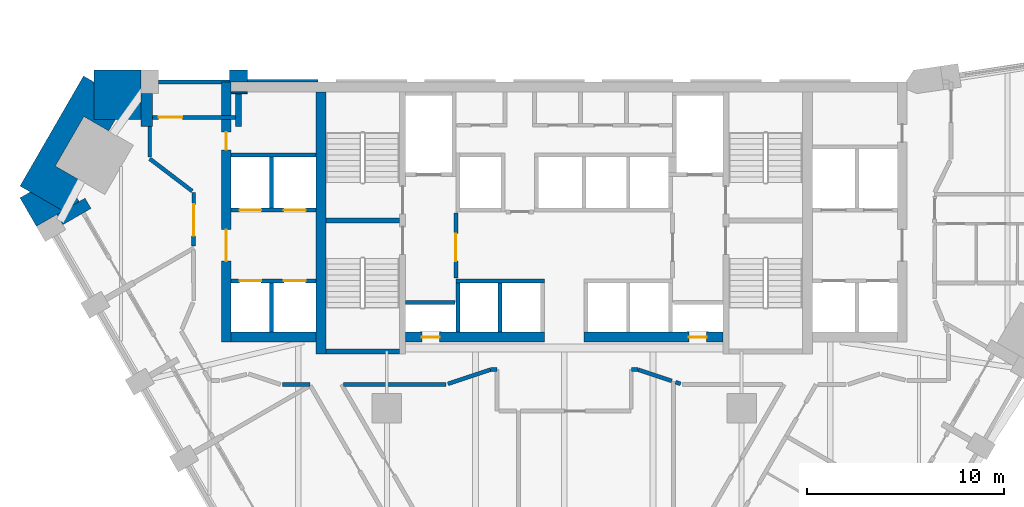
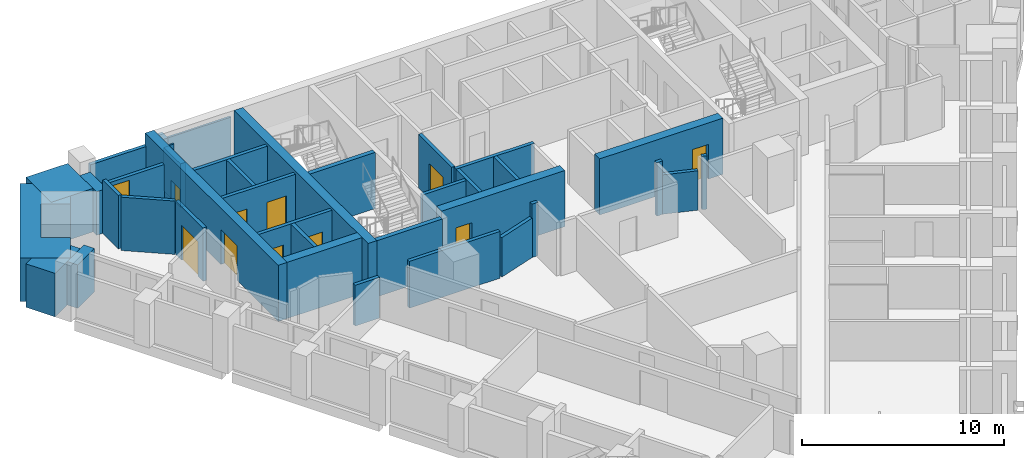
# One storey, part 6 of 11: 38 walls, 11 doors, 11 openings.
"""IFC4 building model written with IfcOpenShell, lengths in metres."""

import ifcopenshell
import ifcopenshell.guid

model = None  # the IFC model being written
_history = None  # IfcOwnerHistory: only IFC2X3 demands one
_inside = {}  # id of a spatial element -> (the spatial element, [elements in it])
_under = {}  # id of a project, library or spatial element -> (it, [spatial elements below it])
_declared = {}  # id of a project -> (the project, [libraries it declares])
_typed = {}  # id of a type object -> (the type object, [elements of that type])
_made_of = {}  # id of a material, layer set ... -> (it, [elements and type objects made of it])


def new_model(schema):
    """Start an empty IFC model of exactly this schema.

    Asked for "IFC4X3", IfcOpenShell would pick the latest addendum, in which some entities
    have other attributes; the version numbers below select the first issue.
    IFC2X3 requires an IfcOwnerHistory on every rooted entity: one is made here for all.
    """
    global model, _history
    if schema == "IFC4X3":
        model = ifcopenshell.file(schema_version=(4, 3, 0, 0))
    else:
        model = ifcopenshell.file(schema=schema)
    _inside.clear()
    _under.clear()
    _declared.clear()
    _typed.clear()
    _made_of.clear()
    _history = None
    if model.schema == "IFC2X3":
        org = make("IfcOrganization", Name="unknown")
        user = make(
            "IfcPersonAndOrganization",
            ThePerson=make("IfcPerson", FamilyName="unknown"),
            TheOrganization=org,
        )
        app = make(
            "IfcApplication",
            ApplicationDeveloper=org,
            Version="unknown",
            ApplicationFullName="unknown",
            ApplicationIdentifier="unknown",
        )
        _history = make(
            "IfcOwnerHistory",
            OwningUser=user,
            OwningApplication=app,
            ChangeAction="ADDED",
            CreationDate=0,
        )
    return model


def make(cls, **values):
    """One entity of the class cls with the attributes given. An attribute that is None is left unset."""
    return model.create_entity(
        cls, **{name: value for name, value in values.items() if value is not None}
    )


def rooted(cls, **values):
    """An entity with a GlobalId (a new one), such as an element, a storey or a relation."""
    return make(cls, GlobalId=ifcopenshell.guid.new(), OwnerHistory=_history, **values)


def si_unit(unit_type, name, prefix=None):
    """IfcSIUnit, for example si_unit("LENGTHUNIT", "METRE", prefix="MILLI")."""
    return make("IfcSIUnit", UnitType=unit_type, Prefix=prefix, Name=name)


def assignment(units):
    """IfcUnitAssignment: the units of a project."""
    return None if units is None else make("IfcUnitAssignment", Units=units)


def point(xyz):
    """IfcCartesianPoint."""
    return None if xyz is None else make("IfcCartesianPoint", Coordinates=xyz)


def direction(xyz):
    """IfcDirection."""
    return None if xyz is None else make("IfcDirection", DirectionRatios=xyz)


def frame(location, z_axis=None, x_axis=None):
    """IfcAxis2Placement3D, a coordinate frame: its origin and axes. An axis left out is left unset."""
    return make(
        "IfcAxis2Placement3D",
        Location=point(location),
        Axis=direction(z_axis),
        RefDirection=direction(x_axis),
    )


def frame_2d(location, x_axis=None):
    """IfcAxis2Placement2D, a coordinate frame in the plane: its origin and x axis."""
    return make(
        "IfcAxis2Placement2D", Location=point(location), RefDirection=direction(x_axis)
    )


def origin():
    """The frame at (0, 0, 0) with its axes left unset."""
    return frame((0.0, 0.0, 0.0))


def place(relative_to, where):
    """IfcLocalPlacement: puts the frame where relative to a parent placement (None: the world)."""
    return make(
        "IfcLocalPlacement", PlacementRelTo=relative_to, RelativePlacement=where
    )


def context(
    kind, dimensions, precision=None, world=None, true_north=None, identifier=None
):
    """IfcGeometricRepresentationContext, for example the 3D "Model" context."""
    return make(
        "IfcGeometricRepresentationContext",
        ContextIdentifier=identifier,
        ContextType=kind,
        CoordinateSpaceDimension=dimensions,
        Precision=precision,
        WorldCoordinateSystem=world,
        TrueNorth=true_north,
    )


def subcontext(parent, identifier, kind, view, scale=None):
    """IfcGeometricRepresentationSubContext, for example "Body" below "Model"."""
    return make(
        "IfcGeometricRepresentationSubContext",
        ContextIdentifier=identifier,
        ContextType=kind,
        ParentContext=parent,
        TargetScale=scale,
        TargetView=view,
    )


def project(units=None, contexts=None):
    """IfcProject with its units and contexts."""
    return rooted(
        "IfcProject",
        Name="project",
        RepresentationContexts=contexts,
        UnitsInContext=assignment(units),
    )


def spatial(cls, under=None, at=None, **own):
    """A site, building, storey or space (cls), placed at a placement, below another one or the project."""
    s = rooted(cls, ObjectPlacement=at, **own)
    if under is not None:
        _under.setdefault(under.id(), (under, []))[1].append(s)
    return s


def polyline(points):
    """IfcPolyline through the points."""
    return make("IfcPolyline", Points=[point(p) for p in points])


def profile(cls, at=None, kind="AREA", **sizes):
    """A parametric profile (cls). Its sizes go by their IFC names, for example OverallWidth=200.0."""
    return make(cls, ProfileType=kind, Position=at, **sizes)


def rectangle(**sizes):
    """IfcRectangleProfileDef."""
    return profile("IfcRectangleProfileDef", **sizes)


def outline(outer, holes=None, kind="AREA"):
    """IfcArbitraryClosedProfileDef: a profile drawn as a closed curve; with holes, ...WithVoids."""
    if holes is None:
        return make("IfcArbitraryClosedProfileDef", ProfileType=kind, OuterCurve=outer)
    return make(
        "IfcArbitraryProfileDefWithVoids",
        ProfileType=kind,
        OuterCurve=outer,
        InnerCurves=holes,
    )


def extrude(swept, where, along, depth):
    """IfcExtrudedAreaSolid: the profile swept, set in the frame where, extruded along a direction by depth."""
    return make(
        "IfcExtrudedAreaSolid",
        SweptArea=swept,
        Position=where,
        ExtrudedDirection=direction(along),
        Depth=depth,
    )


def shape(context_of_items, identifier, shape_type, items):
    """IfcShapeRepresentation: the items that make up one representation, for example the "Body"."""
    return make(
        "IfcShapeRepresentation",
        ContextOfItems=context_of_items,
        RepresentationIdentifier=identifier,
        RepresentationType=shape_type,
        Items=items,
    )


def material(Name=None, Category=None):
    """IfcMaterial."""
    return make("IfcMaterial", Name=Name, Category=Category)


def layer(
    of_material, thickness, ventilated=None, Name=None, Category=None, Priority=None
):
    """IfcMaterialLayer: one layer of a wall or slab, of a material (None: an air gap)."""
    return make(
        "IfcMaterialLayer",
        Material=of_material,
        LayerThickness=thickness,
        IsVentilated=ventilated,
        Name=Name,
        Category=Category,
        Priority=Priority,
    )


def layer_set(layers, Name=None):
    """IfcMaterialLayerSet."""
    return make("IfcMaterialLayerSet", MaterialLayers=layers, LayerSetName=Name)


def made_of(thing, what):
    """Note that an element or type object is made of a material, layer set ...; save() writes the relation."""
    if what is not None:
        _made_of.setdefault(what.id(), (what, []))[1].append(thing)
    return thing


def type_object(cls, material=None, **own):
    """A type object (cls), such as IfcWallType, which elements share."""
    return made_of(rooted(cls, **own), material)


def element(
    cls,
    number,
    at=None,
    inside=None,
    cuts=None,
    type_object=None,
    material=None,
    context=None,
    identifier="Body",
    shape_type=None,
    held_by="IfcProductDefinitionShape",
    body=None,
    shapes=None,
    **own,
):
    """One element of the class cls, such as IfcWall. Its Tag is "e" and its number.

    at: its placement. inside: the storey or other place that contains it. cuts: it is an
    opening in that element (IfcRelVoidsElement). A single representation is given by context,
    identifier, shape_type and body (its items); several are given by shapes. held_by: the class
    of the entity that holds the representations. save() writes the other relations.
    """
    e = rooted(cls, Tag="e%d" % number, ObjectPlacement=at, **own)
    if body is not None:
        shapes = [shape(context, identifier, shape_type, body)]
    if shapes is not None:
        e.Representation = make(held_by, Representations=shapes)
    if inside is not None:
        _inside.setdefault(inside.id(), (inside, []))[1].append(e)
    if cuts is not None:
        rooted(
            "IfcRelVoidsElement", RelatingBuildingElement=cuts, RelatedOpeningElement=e
        )
    if type_object is not None:
        _typed.setdefault(type_object.id(), (type_object, []))[1].append(e)
    return made_of(e, material)


def fill(opening, filler):
    """IfcRelFillsElement: the door or window that sits in an opening."""
    return rooted(
        "IfcRelFillsElement",
        RelatingOpeningElement=opening,
        RelatedBuildingElement=filler,
    )


def aggregate(whole, parts):
    """IfcRelAggregates: a whole, such as a stair, and the parts it consists of."""
    return rooted("IfcRelAggregates", RelatingObject=whole, RelatedObjects=parts)


def save(model, path):
    """Write the relations noted so far, then the file.

    IfcRelAggregates (storeys below a building ...), IfcRelContainedInSpatialStructure (elements
    in a storey), IfcRelDefinesByType, IfcRelAssociatesMaterial and IfcRelDeclares: one each for
    every whole, place, type object, material and project.
    """
    for whole, parts in _under.values():
        aggregate(whole, parts)
    for where, things in _inside.values():
        rooted(
            "IfcRelContainedInSpatialStructure",
            RelatedElements=things,
            RelatingStructure=where,
        )
    for kind, things in _typed.values():
        rooted("IfcRelDefinesByType", RelatedObjects=things, RelatingType=kind)
    for what, things in _made_of.values():
        rooted("IfcRelAssociatesMaterial", RelatedObjects=things, RelatingMaterial=what)
    for by, libraries in _declared.values():
        rooted("IfcRelDeclares", RelatingContext=by, RelatedDefinitions=libraries)
    model.write(path)


model = new_model("IFC4")

# Units and contexts
model_context = context("Model", 3, precision=1e-05, world=origin(), true_north=direction((0.0, 1.0)))
body_context = subcontext(model_context, "Body", "Model", "MODEL_VIEW")
ifc_project = project(units=[si_unit("LENGTHUNIT", "METRE"), si_unit("AREAUNIT", "SQUARE_METRE"), si_unit("VOLUMEUNIT", "CUBIC_METRE"), si_unit("PLANEANGLEUNIT", "RADIAN"), si_unit("MASSUNIT", "GRAM", prefix="KILO")], contexts=[model_context])

# Site, building, storey
site_placement = place(None, origin())
site = spatial("IfcSite", under=ifc_project, at=site_placement, CompositionType="ELEMENT")
building_placement = place(site_placement, origin())
building = spatial("IfcBuilding", under=site, at=building_placement, Name="Calabash Gate Tower", CompositionType="ELEMENT")
storey_placement = place(building_placement, frame((0.0, 0.0, 112.199951171875)))
storey = spatial("IfcBuildingStorey", under=building, at=storey_placement, Name="L25", CompositionType="ELEMENT", Elevation=112.199951171875)

# Walls
ifc_material_1 = material(Name="Terracotta brick masonry, exposed face", Category="masonry")
ifc_layer_1 = layer(ifc_material_1, 2.5)
ifc_layer_set_1 = layer_set([ifc_layer_1], Name="Brick corner mass wall 2500")
wall_type_1 = type_object("IfcWallType", Name="Brick corner mass wall 2500", PredefinedType="SOLIDWALL", material=ifc_layer_set_1)
wall_1_placement = place(storey_placement, origin())
element("IfcWall", 1, at=wall_1_placement, inside=storey, type_object=wall_type_1, Name="Brick corner pier S07 3a", PredefinedType="SOLIDWALL", context=body_context, shape_type="SweptSolid", body=[
    extrude(outline(polyline([(-23.87255859375, 17.152587890625), (-21.48291015625, 17.152587890625), (-21.48291015625, 18.452880859375), (-21.48291015625, 18.452880859375), (-21.48291015625, 19.652587890625), (-23.87255859375, 19.652587890625), (-23.87255859375, 17.152587890625)])), origin(), (0.0, 0.0, 1.0), 2.630126953125),
])
wall_2_placement = place(storey_placement, origin())
element("IfcWall", 2, at=wall_2_placement, inside=storey, type_object=wall_type_1, Name="Brick corner pier S07 3b", PredefinedType="SOLIDWALL", context=body_context, shape_type="SweptSolid", body=[
    extrude(outline(polyline([(-23.114013671875, 16.56640625), (-22.775634765625, 17.152587890625), (-23.87255859375, 17.152587890625), (-23.87255859375, 19.052490234375), (-24.392333984375, 19.3525390625), (-27.616455078125, 13.76806640625), (-25.451416015625, 12.51806640625), (-24.56396484375, 14.054931640625), (-25.82373046875, 14.7822265625), (-24.373779296875, 17.293701171875), (-23.114013671875, 16.56640625)])), origin(), (0.0, 0.0, 1.0), 2.630126953125),
])
wall_3_placement = place(storey_placement, origin())
element("IfcWall", 3, at=wall_3_placement, inside=storey, type_object=wall_type_1, Name="Brick corner pier S07 3c", PredefinedType="SOLIDWALL", context=body_context, shape_type="SweptSolid", body=[
    extrude(outline(polyline([(-26.78369140625, 11.725830078125), (-24.61865234375, 12.975830078125), (-24.90283203125, 13.46826171875), (-25.451416015625, 12.51806640625), (-27.0966796875, 13.46826171875), (-27.616455078125, 13.168212890625), (-26.78369140625, 11.725830078125)])), origin(), (0.0, 0.0, 1.0), 2.630126953125),
])
ifc_material_2 = material(Name="Terracotta brick masonry, exposed face", Category="masonry")
ifc_layer_2 = layer(ifc_material_2, 1.199951171875)
ifc_layer_set_2 = layer_set([ifc_layer_2], Name="Brick end wall 1200")
wall_type_2 = type_object("IfcWallType", Name="Brick end wall 1200", PredefinedType="SOLIDWALL", material=ifc_layer_set_2)
wall_4_placement = place(storey_placement, origin())
element("IfcWall", 4, at=wall_4_placement, inside=storey, type_object=wall_type_2, Name="Brick pier S07 N6.7a", PredefinedType="SOLIDWALL", context=body_context, shape_type="SweptSolid", body=[
    extrude(outline(polyline([(-16.0830078125, 19.052490234375), (-16.0830078125, 19.652587890625), (-16.98291015625, 19.652587890625), (-16.98291015625, 19.052490234375), (-16.0830078125, 19.052490234375)])), origin(), (0.0, 0.0, 1.0), 2.650146484375),
])
wall_5_placement = place(storey_placement, origin())
element("IfcWall", 5, at=wall_5_placement, inside=storey, type_object=wall_type_2, Name="Brick pier S07 N6.7b", PredefinedType="SOLIDWALL", context=body_context, shape_type="SweptSolid", body=[
    extrude(outline(polyline([(-16.0830078125, 18.45263671875), (-16.0830078125, 18.552490234375), (-16.89990234375, 18.552490234375), (-16.89990234375, 18.45263671875), (-16.0830078125, 18.45263671875)])), origin(), (0.0, 0.0, 1.0), 2.650146484375),
])
ifc_material_3 = material(Name="Terracotta brick masonry, exposed face", Category="masonry")
ifc_layer_3 = layer(ifc_material_3, 0.300048828125)
ifc_layer_set_3 = layer_set([ifc_layer_3], Name="Brick loggia cheek wall 300")
wall_type_3 = type_object("IfcWallType", Name="Brick loggia cheek wall 300", PredefinedType="SOLIDWALL", material=ifc_layer_set_3)
wall_6_placement = place(storey_placement, frame((-25.594482421875, 12.06591796875, 0.0), z_axis=(0.0, 0.0, 1.0), x_axis=(0.866040211805, 0.499974350878, 0.0)))
element("IfcWall", 6, at=wall_6_placement, inside=storey, type_object=wall_type_3, Name="Loggia cheek S07 SW0.0", PredefinedType="SOLIDWALL", context=body_context, shape_type="SweptSolid", body=[
    extrude(rectangle(XDim=1.64990234375, YDim=0.60009765625, at=frame_2d((0.824951171875, 0.0))), origin(), (0.0, 0.0, 1.0), 2.630126953125),
])
wall_7_placement = place(storey_placement, origin())
element("IfcWall", 7, at=wall_7_placement, inside=storey, type_object=wall_type_3, Name="Loggia cheek S07 N6.7", PredefinedType="SOLIDWALL", context=body_context, shape_type="SweptSolid", body=[
    extrude(outline(polyline([(-16.383056640625, 16.802490234375), (-16.383056640625, 18.45263671875), (-16.682861328125, 18.45263671875), (-16.682861328125, 16.802490234375), (-16.383056640625, 16.802490234375)])), origin(), (0.0, 0.0, 1.0), 2.650146484375),
])
wall_8_placement = place(storey_placement, origin())
element("IfcWall", 8, at=wall_8_placement, inside=storey, type_object=wall_type_3, Name="Loggia cheek S07 N6.8", PredefinedType="SOLIDWALL", context=body_context, shape_type="SweptSolid", body=[
    extrude(outline(polyline([(-21.48291015625, 18.45263671875), (-21.48291015625, 16.802490234375), (-20.883056640625, 16.802490234375), (-20.883056640625, 18.45263671875), (-21.48291015625, 18.45263671875)])), origin(), (0.0, 0.0, 1.0), 2.630126953125),
])
ifc_material_4 = material(Name="Concrete C80/95", Category="concrete")
ifc_layer_4 = layer(ifc_material_4, 0.25)
ifc_layer_set_4 = layer_set([ifc_layer_4], Name="Core wall 250 Concrete C80/95")
wall_type_4 = type_object("IfcWallType", Name="Core wall 250 Concrete C80/95", PredefinedType="SHEAR", material=ifc_layer_set_4)
for number, where, z_axis, x_axis, name in (
    (9, (-12.10009765625, 12.027587890625, 0.0), (0.0, 0.0, 1.0), (1.0, 0.0, 0.0), "Core wall Z2-MIDW L25"),
    (10, (-12.10009765625, 5.377685546875, 0.0), (0.0, 0.0, 1.0), (1.0, 0.0, 0.0), "Core wall Z2-SSW L25"),
):
    element("IfcWall", number, at=place(storey_placement, frame(where, z_axis=z_axis, x_axis=x_axis)), inside=storey, type_object=wall_type_4, Name=name, PredefinedType="SHEAR", context=body_context, shape_type="SweptSolid", body=[
        extrude(rectangle(XDim=3.75, YDim=0.25, at=frame_2d((1.875, 0.0))), origin(), (0.0, 0.0, 1.0), 3.400146484375),
    ])
ifc_material_5 = material(Name="Concrete C80/95", Category="concrete")
ifc_layer_5 = layer(ifc_material_5, 0.5)
ifc_layer_set_5 = layer_set([ifc_layer_5], Name="Core wall 500 Concrete C80/95")
wall_type_5 = type_object("IfcWallType", Name="Core wall 500 Concrete C80/95", PredefinedType="SHEAR", material=ifc_layer_set_5)
wall_9_placement = place(storey_placement, frame((-12.35009765625, 5.252685546875, 0.0), z_axis=(0.0, 0.0, 1.0), x_axis=(0.0, 1.0, 0.0)))
element("IfcWall", 11, at=wall_9_placement, inside=storey, type_object=wall_type_5, Name="Core wall Z2-COLW L25", PredefinedType="SHEAR", context=body_context, shape_type="SweptSolid", body=[
    extrude(rectangle(XDim=13.2998046875, YDim=0.5, at=frame_2d((6.64990234375, 0.0))), origin(), (0.0, 0.0, 1.0), 3.400146484375),
])

# Wall, opening, door
wall_10_placement = place(storey_placement, frame((-8.050048828125, 6.1025390625, 0.0), z_axis=(0.0, 0.0, 1.0), x_axis=(1.0, 0.0, 0.0)))
wall_10 = element("IfcWall", 12, at=wall_10_placement, inside=storey, type_object=wall_type_5, Name="Core wall Z2-SA L25", PredefinedType="SHEAR", context=body_context, shape_type="SweptSolid", body=[
    extrude(rectangle(XDim=7.050048828125, YDim=0.5, at=frame_2d((3.52490234375, 0.0))), origin(), (0.0, 0.0, 1.0), 3.400146484375),
])
opening_1_placement = place(wall_10_placement, frame((0.824951171875, 0.0, 0.0)))
opening_1 = element("IfcOpeningElement", 13, at=opening_1_placement, cuts=wall_10, Name="Opening H7-013", PredefinedType="OPENING", context=body_context, shape_type="SweptSolid", body=[
    extrude(rectangle(XDim=0.89990234375, YDim=2.10009765625, at=frame_2d((0.449951171875, 1.050048828125))), frame((0.0, 0.260009765625, 0.0), z_axis=(0.0, -1.0, 0.0), x_axis=(1.0, 0.0, 0.0)), (0.0, 0.0, 1.0), 0.52001953125),
])
ifc_material_6 = material(Name="Steel fire door set with fire-resisting glazing", Category="steel")
door_type_1 = type_object("IfcDoorType", Name="Fire door D07 900x2100 FD90", OperationType="NOTDEFINED", PredefinedType="DOOR", material=ifc_material_6)
door_1_placement = place(opening_1_placement, origin())
door_1 = element("IfcDoor", 14, at=door_1_placement, inside=storey, type_object=door_type_1, Name="Electrical Riser W door", OperationType="SINGLE_SWING_LEFT", OverallHeight=2.10009765625, OverallWidth=0.89990234375, PredefinedType="DOOR", context=body_context, shape_type="SweptSolid", body=[
    extrude(rectangle(XDim=0.89990234375, YDim=2.10009765625, at=frame_2d((0.449951171875, 1.050048828125))), frame((0.0, 0.02490234375, 0.0), z_axis=(0.0, -1.0, 0.0), x_axis=(1.0, 0.0, 0.0)), (0.0, 0.0, 1.0), 0.050048828125),
])
fill(opening_1, door_1)

wall_11_placement = place(storey_placement, frame((1.0, 6.1025390625, 0.0), z_axis=(0.0, 0.0, 1.0), x_axis=(1.0, 0.0, 0.0)))
wall_11 = element("IfcWall", 15, at=wall_11_placement, inside=storey, type_object=wall_type_5, Name="Core wall Z2-SB L25", PredefinedType="SHEAR", context=body_context, shape_type="SweptSolid", body=[
    extrude(rectangle(XDim=7.050048828125, YDim=0.5, at=frame_2d((3.52490234375, 0.0))), origin(), (0.0, 0.0, 1.0), 3.400146484375),
])
opening_2_placement = place(wall_11_placement, frame((5.324951171875, 0.0, 0.0)))
opening_2 = element("IfcOpeningElement", 16, at=opening_2_placement, cuts=wall_11, Name="Opening H7-012", PredefinedType="OPENING", context=body_context, shape_type="SweptSolid", body=[
    extrude(rectangle(XDim=0.89990234375, YDim=2.10009765625, at=frame_2d((0.449951171875, 1.050048828125))), frame((0.0, 0.260009765625, 0.0), z_axis=(0.0, -1.0, 0.0), x_axis=(1.0, 0.0, 0.0)), (0.0, 0.0, 1.0), 0.52001953125),
])
door_2_placement = place(opening_2_placement, origin())
door_2 = element("IfcDoor", 17, at=door_2_placement, inside=storey, type_object=door_type_1, Name="Mechanical Riser E door", OperationType="SINGLE_SWING_RIGHT", OverallHeight=2.10009765625, OverallWidth=0.89990234375, PredefinedType="DOOR", context=body_context, shape_type="SweptSolid", body=[
    extrude(rectangle(XDim=0.89990234375, YDim=2.10009765625, at=frame_2d((0.449951171875, 1.050048828125))), frame((0.0, 0.02490234375, 0.0), z_axis=(0.0, -1.0, 0.0), x_axis=(1.0, 0.0, 0.0)), (0.0, 0.0, 1.0), 0.050048828125),
])
fill(opening_2, door_2)

# Wall
wall_12_placement = place(storey_placement, frame((-12.60009765625, 6.1025390625, 0.0), z_axis=(0.0, 0.0, 1.0), x_axis=(-1.0, 0.0, 0.0)))
element("IfcWall", 18, at=wall_12_placement, inside=storey, type_object=wall_type_5, Name="Core wall Z2-SW L25", PredefinedType="SHEAR", context=body_context, shape_type="SweptSolid", body=[
    extrude(rectangle(XDim=4.2998046875, YDim=0.5, at=frame_2d((2.14990234375, 0.0))), origin(), (0.0, 0.0, 1.0), 3.400146484375),
])

# Wall, openings, doors
wall_13_placement = place(storey_placement, frame((-17.14990234375, 5.8525390625, 0.0), z_axis=(0.0, 0.0, 1.0), x_axis=(0.0, 1.0, 0.0)))
wall_13 = element("IfcWall", 19, at=wall_13_placement, inside=storey, type_object=wall_type_5, Name="Core wall Z2-ENDW L25", PredefinedType="SHEAR", context=body_context, shape_type="SweptSolid", body=[
    extrude(rectangle(XDim=13.199951171875, YDim=0.5, at=frame_2d((6.60009765625, 0.0))), origin(), (0.0, 0.0, 1.0), 3.400146484375),
])
opening_3_placement = place(wall_13_placement, frame((4.10009765625, 0.0, 0.0)))
opening_3 = element("IfcOpeningElement", 20, at=opening_3_placement, cuts=wall_13, Name="Opening H7-003", PredefinedType="OPENING", context=body_context, shape_type="SweptSolid", body=[
    extrude(rectangle(XDim=1.60009765625, YDim=2.10009765625, at=frame_2d((0.800048828125, 1.050048828125))), frame((0.0, 0.260009765625, 0.0), z_axis=(0.0, -1.0, 0.0), x_axis=(1.0, 0.0, 0.0)), (0.0, 0.0, 1.0), 0.52001953125),
])
opening_4_placement = place(wall_13_placement, frame((9.75, 0.0, 0.0)))
opening_4 = element("IfcOpeningElement", 21, at=opening_4_placement, cuts=wall_13, Name="Opening H7-004", PredefinedType="OPENING", context=body_context, shape_type="SweptSolid", body=[
    extrude(rectangle(XDim=0.89990234375, YDim=2.10009765625, at=frame_2d((0.449951171875, 1.050048828125))), frame((0.0, 0.260009765625, 0.0), z_axis=(0.0, -1.0, 0.0), x_axis=(1.0, 0.0, 0.0)), (0.0, 0.0, 1.0), 0.52001953125),
])
ifc_material_7 = material(Name="Steel fire door set with fire-resisting glazing", Category="steel")
door_type_2 = type_object("IfcDoorType", Name="Double fire door D08 1600x2100 FD60", OperationType="DOUBLE_DOOR_SINGLE_SWING", PredefinedType="DOOR", material=ifc_material_7)
door_3_placement = place(opening_3_placement, origin())
door_3 = element("IfcDoor", 22, at=door_3_placement, inside=storey, type_object=door_type_2, Name="Low-rise Lift Lobby W door", OperationType="DOUBLE_DOOR_SINGLE_SWING", OverallHeight=2.10009765625, OverallWidth=1.60009765625, PredefinedType="DOOR", context=body_context, shape_type="SweptSolid", body=[
    extrude(rectangle(XDim=1.60009765625, YDim=2.10009765625, at=frame_2d((0.800048828125, 1.050048828125))), frame((0.0, 0.02490234375, 0.0), z_axis=(0.0, -1.0, 0.0), x_axis=(1.0, 0.0, 0.0)), (0.0, 0.0, 1.0), 0.050048828125),
])
fill(opening_3, door_3)
ifc_material_8 = material(Name="Steel fire door set with fire-resisting glazing", Category="steel")
door_type_3 = type_object("IfcDoorType", Name="Fire door D06 900x2100 FD60", OperationType="NOTDEFINED", PredefinedType="DOOR", material=ifc_material_8)
door_4_placement = place(opening_4_placement, origin())
door_4 = element("IfcDoor", 23, at=door_4_placement, inside=storey, type_object=door_type_3, Name="Cleaner's Store door", OperationType="SINGLE_SWING_RIGHT", OverallHeight=2.10009765625, OverallWidth=0.89990234375, PredefinedType="DOOR", context=body_context, shape_type="SweptSolid", body=[
    extrude(rectangle(XDim=0.89990234375, YDim=2.10009765625, at=frame_2d((0.449951171875, 1.050048828125))), frame((0.0, 0.02490234375, 0.0), z_axis=(0.0, -1.0, 0.0), x_axis=(1.0, 0.0, 0.0)), (0.0, 0.0, 1.0), 0.050048828125),
])
fill(opening_4, door_4)

# Walls
ifc_material_9 = material(Name="Gypsum board on steel studs, mineral wool", Category="steel")
ifc_layer_6 = layer(ifc_material_9, 0.199951171875)
ifc_layer_set_6 = layer_set([ifc_layer_6], Name="Partition 200 gypsum board EI 60")
wall_type_6 = type_object("IfcWallType", Name="Partition 200 gypsum board EI 60", PredefinedType="PARTITIONING", material=ifc_layer_set_6)
wall_14_placement = place(storey_placement, frame((-14.300048828125, 3.699462890625, 0.0), z_axis=(0.0, 0.0, 1.0), x_axis=(1.0, 0.0, 0.0)))
element("IfcWall", 24, at=wall_14_placement, inside=storey, type_object=wall_type_6, Name="Partition", PredefinedType="PARTITIONING", context=body_context, shape_type="SweptSolid", body=[
    extrude(rectangle(XDim=1.387451171875, YDim=0.199951171875, at=frame_2d((0.69384765625, 0.0))), origin(), (0.0, 0.0, 1.0), 2.4736328125),
])
wall_15_placement = place(storey_placement, frame((-11.1953125, 3.69970703125, 0.0), z_axis=(0.0, 0.0, 1.0), x_axis=(1.0, 0.0, 0.0)))
element("IfcWall", 25, at=wall_15_placement, inside=storey, type_object=wall_type_6, Name="Partition", PredefinedType="PARTITIONING", context=body_context, shape_type="SweptSolid", body=[
    extrude(rectangle(XDim=5.1953125, YDim=0.199951171875, at=frame_2d((2.59765625, 0.0))), origin(), (0.0, 0.0, 1.0), 2.83154296875),
])
wall_16_placement = place(storey_placement, frame((5.64501953125, 3.816650390625, 0.0), z_axis=(0.0, 0.0, 1.0), x_axis=(0.950012851822, -0.312210796374, 0.0)))
element("IfcWall", 26, at=wall_16_placement, inside=storey, type_object=wall_type_6, Name="Partition", PredefinedType="PARTITIONING", context=body_context, shape_type="SweptSolid", body=[
    extrude(rectangle(XDim=0.273681640625, YDim=0.199951171875, at=frame_2d((0.13671875, 0.0))), origin(), (0.0, 0.0, 1.0), 3.22998046875),
])
wall_17_placement = place(storey_placement, frame((3.7421875, 4.452392578125, 0.0), z_axis=(0.0, 0.0, 1.0), x_axis=(0.948371897829, -0.317160437962, 0.0)))
element("IfcWall", 27, at=wall_17_placement, inside=storey, type_object=wall_type_6, Name="Partition", PredefinedType="PARTITIONING", context=body_context, shape_type="SweptSolid", body=[
    extrude(rectangle(XDim=1.805908203125, YDim=0.199951171875, at=frame_2d((0.90283203125, 0.0))), origin(), (0.0, 0.0, 1.0), 2.384033203125),
])
wall_18_placement = place(storey_placement, frame((-5.905029296875, 3.7314453125, 0.0), z_axis=(0.0, 0.0, 1.0), x_axis=(0.948683298051, 0.316227766017, 0.0)))
element("IfcWall", 28, at=wall_18_placement, inside=storey, type_object=wall_type_6, Name="Partition", PredefinedType="PARTITIONING", context=body_context, shape_type="SweptSolid", body=[
    extrude(rectangle(XDim=2.27978515625, YDim=0.199951171875, at=frame_2d((1.139892578125, 0.0))), origin(), (0.0, 0.0, 1.0), 2.384033203125),
])
for number, where, z_axis, x_axis, name in (
    (29, (-3.7421875, 4.452392578125, 0.0), (0.0, 0.0, 1.0), (0.999987374295, -0.005025062182, 0.0), "Partition"),
    (30, (3.402099609375, 4.45068359375, 0.0), (0.0, 0.0, 1.0), (0.999987374295, 0.005025062182, 0.0), "Partition"),
):
    element("IfcWall", number, at=place(storey_placement, frame(where, z_axis=z_axis, x_axis=x_axis)), inside=storey, type_object=wall_type_6, Name=name, PredefinedType="PARTITIONING", context=body_context, shape_type="SweptSolid", body=[
        extrude(rectangle(XDim=0.340087890625, YDim=0.199951171875, at=frame_2d((0.169921875, 0.0))), origin(), (0.0, 0.0, 1.0), 3.22998046875),
    ])

# Wall, opening, door
wall_19_placement = place(storey_placement, frame((-18.802001953125, 10.71826171875, 0.0), z_axis=(0.0, 0.0, 1.0), x_axis=(0.000535762045, 0.99999985648, 0.0)))
wall_19 = element("IfcWall", 31, at=wall_19_placement, inside=storey, type_object=wall_type_6, Name="Partition", PredefinedType="PARTITIONING", context=body_context, shape_type="SweptSolid", body=[
    extrude(rectangle(XDim=2.734130859375, YDim=0.199951171875, at=frame_2d((1.3671875, 0.0))), origin(), (0.0, 0.0, 1.0), 3.22998046875),
])
opening_5_placement = place(wall_19_placement, frame((0.516357421875, 0.0, 0.0)))
opening_5 = element("IfcOpeningElement", 32, at=opening_5_placement, cuts=wall_19, Name="Opening 25-27-022", PredefinedType="OPENING", context=body_context, shape_type="SweptSolid", body=[
    extrude(rectangle(XDim=1.60009765625, YDim=2.10009765625, at=frame_2d((0.800048828125, 1.050048828125))), frame((0.0, 0.10986328125, 0.0), z_axis=(0.0, -1.0, 0.0), x_axis=(1.0, 0.0, 0.0)), (0.0, 0.0, 1.0), 0.219970703125),
])
ifc_material_10 = material(Name="Steel fire door set with fire-resisting glazing", Category="steel")
door_type_4 = type_object("IfcDoorType", Name="LD1 Lounge double door 1600x2100", OperationType="NOTDEFINED", PredefinedType="DOOR", material=ifc_material_10)
door_5_placement = place(opening_5_placement, origin())
door_5 = element("IfcDoor", 33, at=door_5_placement, inside=storey, type_object=door_type_4, Name="Lounge double door", OperationType="DOUBLE_DOOR_SINGLE_SWING", OverallHeight=2.10009765625, OverallWidth=1.60009765625, PredefinedType="DOOR", context=body_context, shape_type="SweptSolid", body=[
    extrude(rectangle(XDim=1.60009765625, YDim=2.10009765625, at=frame_2d((0.800048828125, 1.050048828125))), frame((0.0, 0.02490234375, 0.0), z_axis=(0.0, -1.0, 0.0), x_axis=(1.0, 0.0, 0.0)), (0.0, 0.0, 1.0), 0.050048828125),
])
fill(opening_5, door_5)

# Walls
wall_20_placement = place(storey_placement, frame((-21.033447265625, 15.15234375, 0.0), z_axis=(0.0, 0.0, 1.0), x_axis=(0.79564910386, -0.605757792791, 0.0)))
element("IfcWall", 34, at=wall_20_placement, inside=storey, type_object=wall_type_6, Name="Partition", PredefinedType="PARTITIONING", context=body_context, shape_type="SweptSolid", body=[
    extrude(rectangle(XDim=2.706298828125, YDim=0.199951171875, at=frame_2d((1.35302734375, 0.0))), origin(), (0.0, 0.0, 1.0), 3.22998046875),
])
wall_21_placement = place(storey_placement, frame((-21.033447265625, 16.802490234375, 0.0), z_axis=(0.0, 0.0, 1.0), x_axis=(0.0, -1.0, 0.0)))
element("IfcWall", 35, at=wall_21_placement, inside=storey, type_object=wall_type_6, Name="Partition", PredefinedType="PARTITIONING", context=body_context, shape_type="SweptSolid", body=[
    extrude(rectangle(XDim=1.55029296875, YDim=0.199951171875, at=frame_2d((0.775146484375, 0.0))), origin(), (0.0, 0.0, 1.0), 3.22998046875),
])
ifc_material_11 = material(Name="Concrete C40/50", Category="concrete")
ifc_layer_7 = layer(ifc_material_11, 0.199951171875)
ifc_layer_set_7 = layer_set([ifc_layer_7], Name="Shaft wall 200 Concrete C40/50")
wall_type_7 = type_object("IfcWallType", Name="Shaft wall 200 Concrete C40/50", PredefinedType="SOLIDWALL", material=ifc_layer_set_7)
for number, where, z_axis, x_axis, name in (
    (36, (-14.85009765625, 6.3525390625, 0.0), (0.0, 0.0, 1.0), (0.0, 1.0, 0.0), "Shaft wall"),
    (37, (-5.39990234375, 6.3525390625, 0.0), (0.0, 0.0, 1.0), (0.0, 1.0, 0.0), "Shaft wall"),
    (38, (-3.25, 6.3525390625, 0.0), (0.0, 0.0, 1.0), (0.0, 1.0, 0.0), "Shaft wall"),
    (39, (-8.050048828125, 7.8525390625, 0.0), (0.0, 0.0, 1.0), (1.0, 0.0, 0.0), "Shaft wall"),
):
    element("IfcWall", number, at=place(storey_placement, frame(where, z_axis=z_axis, x_axis=x_axis)), inside=storey, type_object=wall_type_7, Name=name, PredefinedType="SOLIDWALL", context=body_context, shape_type="SweptSolid", body=[
        extrude(rectangle(XDim=2.5, YDim=0.199951171875, at=frame_2d((1.25, 0.0))), origin(), (0.0, 0.0, 1.0), 3.22998046875),
    ])

# Wall, openings, doors
wall_22_placement = place(storey_placement, frame((-16.89990234375, 8.95263671875, 0.0), z_axis=(0.0, 0.0, 1.0), x_axis=(1.0, 0.0, 0.0)))
wall_22 = element("IfcWall", 40, at=wall_22_placement, inside=storey, type_object=wall_type_7, Name="Shaft wall", PredefinedType="SOLIDWALL", context=body_context, shape_type="SweptSolid", body=[
    extrude(rectangle(XDim=4.2998046875, YDim=0.199951171875, at=frame_2d((2.14990234375, 0.0))), origin(), (0.0, 0.0, 1.0), 3.22998046875),
])
opening_6_placement = place(wall_22_placement, frame((2.675048828125, 0.0, 0.0)))
opening_6 = element("IfcOpeningElement", 41, at=opening_6_placement, cuts=wall_22, Name="Opening LD-LR1", PredefinedType="OPENING", context=body_context, shape_type="SweptSolid", body=[
    extrude(rectangle(XDim=1.10009765625, YDim=2.10009765625, at=frame_2d((0.550048828125, 1.050048828125))), frame((0.0, 0.10986328125, 0.0), z_axis=(0.0, -1.0, 0.0), x_axis=(1.0, 0.0, 0.0)), (0.0, 0.0, 1.0), 0.219970703125),
])
opening_7_placement = place(wall_22_placement, frame((0.425048828125, 0.0, 0.0)))
opening_7 = element("IfcOpeningElement", 42, at=opening_7_placement, cuts=wall_22, Name="Opening LD-LR2", PredefinedType="OPENING", context=body_context, shape_type="SweptSolid", body=[
    extrude(rectangle(XDim=1.10009765625, YDim=2.10009765625, at=frame_2d((0.550048828125, 1.050048828125))), frame((0.0, 0.10986328125, 0.0), z_axis=(0.0, -1.0, 0.0), x_axis=(1.0, 0.0, 0.0)), (0.0, 0.0, 1.0), 0.219970703125),
])
ifc_material_12 = material(Name="Stainless steel sliding door leaves", Category="steel")
door_type_5 = type_object("IfcDoorType", Name="Lift landing door LS1 1100x2100 FD90", OperationType="DOUBLE_DOOR_SLIDING", PredefinedType="DOOR", material=ifc_material_12)
door_6_placement = place(opening_6_placement, origin())
door_6 = element("IfcDoor", 43, at=door_6_placement, inside=storey, type_object=door_type_5, Name="Lift landing door LR1", OperationType="DOUBLE_DOOR_SLIDING", OverallHeight=2.10009765625, OverallWidth=1.10009765625, PredefinedType="DOOR", context=body_context, shape_type="SweptSolid", body=[
    extrude(rectangle(XDim=1.10009765625, YDim=2.10009765625, at=frame_2d((0.550048828125, 1.050048828125))), frame((0.0, 0.02490234375, 0.0), z_axis=(0.0, -1.0, 0.0), x_axis=(1.0, 0.0, 0.0)), (0.0, 0.0, 1.0), 0.050048828125),
])
fill(opening_6, door_6)
door_7_placement = place(opening_7_placement, origin())
door_7 = element("IfcDoor", 44, at=door_7_placement, inside=storey, type_object=door_type_5, Name="Lift landing door LR2", OperationType="DOUBLE_DOOR_SLIDING", OverallHeight=2.10009765625, OverallWidth=1.10009765625, PredefinedType="DOOR", context=body_context, shape_type="SweptSolid", body=[
    extrude(rectangle(XDim=1.10009765625, YDim=2.10009765625, at=frame_2d((0.550048828125, 1.050048828125))), frame((0.0, 0.02490234375, 0.0), z_axis=(0.0, -1.0, 0.0), x_axis=(1.0, 0.0, 0.0)), (0.0, 0.0, 1.0), 0.050048828125),
])
fill(opening_7, door_7)

# Wall
wall_23_placement = place(storey_placement, frame((-5.5, 8.95263671875, 0.0), z_axis=(0.0, 0.0, 1.0), x_axis=(1.0, 0.0, 0.0)))
element("IfcWall", 45, at=wall_23_placement, inside=storey, type_object=wall_type_7, Name="Shaft wall", PredefinedType="SOLIDWALL", context=body_context, shape_type="SweptSolid", body=[
    extrude(rectangle(XDim=4.5, YDim=0.199951171875, at=frame_2d((2.25, 0.0))), origin(), (0.0, 0.0, 1.0), 3.22998046875),
])

# Wall, opening, door
wall_24_placement = place(storey_placement, frame((-5.5, 9.1025390625, 0.0), z_axis=(0.0, 0.0, 1.0), x_axis=(0.0, 1.0, 0.0)))
wall_24 = element("IfcWall", 46, at=wall_24_placement, inside=storey, type_object=wall_type_7, Name="Shaft wall", PredefinedType="SOLIDWALL", context=body_context, shape_type="SweptSolid", body=[
    extrude(rectangle(XDim=3.300048828125, YDim=0.199951171875, at=frame_2d((1.64990234375, 0.0))), origin(), (0.0, 0.0, 1.0), 3.22998046875),
])
opening_8_placement = place(wall_24_placement, frame((0.85009765625, 0.0, 0.0)))
opening_8 = element("IfcOpeningElement", 47, at=opening_8_placement, cuts=wall_24, Name="Opening H7-007", PredefinedType="OPENING", context=body_context, shape_type="SweptSolid", body=[
    extrude(rectangle(XDim=1.39990234375, YDim=2.10009765625, at=frame_2d((0.699951171875, 1.050048828125))), frame((0.0, 0.10986328125, 0.0), z_axis=(0.0, -1.0, 0.0), x_axis=(1.0, 0.0, 0.0)), (0.0, 0.0, 1.0), 0.219970703125),
])
ifc_material_13 = material(Name="Steel fire door set with fire-resisting glazing", Category="steel")
door_type_6 = type_object("IfcDoorType", Name="Fire door D05 1400x2100 FD90", OperationType="NOTDEFINED", PredefinedType="DOOR", material=ifc_material_13)
door_8_placement = place(opening_8_placement, origin())
door_8 = element("IfcDoor", 48, at=door_8_placement, inside=storey, type_object=door_type_6, Name="Firefighting Lobby W door", OperationType="SINGLE_SWING_RIGHT", OverallHeight=2.10009765625, OverallWidth=1.39990234375, PredefinedType="DOOR", context=body_context, shape_type="SweptSolid", body=[
    extrude(rectangle(XDim=1.39990234375, YDim=2.10009765625, at=frame_2d((0.699951171875, 1.050048828125))), frame((0.0, 0.02490234375, 0.0), z_axis=(0.0, -1.0, 0.0), x_axis=(1.0, 0.0, 0.0)), (0.0, 0.0, 1.0), 0.050048828125),
])
fill(opening_8, door_8)

# Wall, openings, doors
wall_25_placement = place(storey_placement, frame((-16.89990234375, 12.552490234375, 0.0), z_axis=(0.0, 0.0, 1.0), x_axis=(1.0, 0.0, 0.0)))
wall_25 = element("IfcWall", 49, at=wall_25_placement, inside=storey, type_object=wall_type_7, Name="Shaft wall", PredefinedType="SOLIDWALL", context=body_context, shape_type="SweptSolid", body=[
    extrude(rectangle(XDim=4.2998046875, YDim=0.199951171875, at=frame_2d((2.14990234375, 0.0))), origin(), (0.0, 0.0, 1.0), 3.22998046875),
])
opening_9_placement = place(wall_25_placement, frame((2.675048828125, 0.0, 0.0)))
opening_9 = element("IfcOpeningElement", 50, at=opening_9_placement, cuts=wall_25, Name="Opening LD-LR3", PredefinedType="OPENING", context=body_context, shape_type="SweptSolid", body=[
    extrude(rectangle(XDim=1.10009765625, YDim=2.10009765625, at=frame_2d((0.550048828125, 1.050048828125))), frame((0.0, 0.10986328125, 0.0), z_axis=(0.0, -1.0, 0.0), x_axis=(1.0, 0.0, 0.0)), (0.0, 0.0, 1.0), 0.219970703125),
])
opening_10_placement = place(wall_25_placement, frame((0.425048828125, 0.0, 0.0)))
opening_10 = element("IfcOpeningElement", 51, at=opening_10_placement, cuts=wall_25, Name="Opening LD-LR4", PredefinedType="OPENING", context=body_context, shape_type="SweptSolid", body=[
    extrude(rectangle(XDim=1.10009765625, YDim=2.10009765625, at=frame_2d((0.550048828125, 1.050048828125))), frame((0.0, 0.10986328125, 0.0), z_axis=(0.0, -1.0, 0.0), x_axis=(1.0, 0.0, 0.0)), (0.0, 0.0, 1.0), 0.219970703125),
])
door_9_placement = place(opening_9_placement, origin())
door_9 = element("IfcDoor", 52, at=door_9_placement, inside=storey, type_object=door_type_5, Name="Lift landing door LR3", OperationType="DOUBLE_DOOR_SLIDING", OverallHeight=2.10009765625, OverallWidth=1.10009765625, PredefinedType="DOOR", context=body_context, shape_type="SweptSolid", body=[
    extrude(rectangle(XDim=1.10009765625, YDim=2.10009765625, at=frame_2d((0.550048828125, 1.050048828125))), frame((0.0, 0.02490234375, 0.0), z_axis=(0.0, -1.0, 0.0), x_axis=(1.0, 0.0, 0.0)), (0.0, 0.0, 1.0), 0.050048828125),
])
fill(opening_9, door_9)
door_10_placement = place(opening_10_placement, origin())
door_10 = element("IfcDoor", 53, at=door_10_placement, inside=storey, type_object=door_type_5, Name="Lift landing door LR4", OperationType="DOUBLE_DOOR_SLIDING", OverallHeight=2.10009765625, OverallWidth=1.10009765625, PredefinedType="DOOR", context=body_context, shape_type="SweptSolid", body=[
    extrude(rectangle(XDim=1.10009765625, YDim=2.10009765625, at=frame_2d((0.550048828125, 1.050048828125))), frame((0.0, 0.02490234375, 0.0), z_axis=(0.0, -1.0, 0.0), x_axis=(1.0, 0.0, 0.0)), (0.0, 0.0, 1.0), 0.050048828125),
])
fill(opening_10, door_10)

# Walls
wall_26_placement = place(storey_placement, frame((-14.85009765625, 12.652587890625, 0.0), z_axis=(0.0, 0.0, 1.0), x_axis=(0.0, 1.0, 0.0)))
element("IfcWall", 54, at=wall_26_placement, inside=storey, type_object=wall_type_7, Name="Shaft wall", PredefinedType="SOLIDWALL", context=body_context, shape_type="SweptSolid", body=[
    extrude(rectangle(XDim=2.60009765625, YDim=0.199951171875, at=frame_2d((1.300048828125, 0.0))), origin(), (0.0, 0.0, 1.0), 3.22998046875),
])
wall_27_placement = place(storey_placement, frame((-16.89990234375, 15.3525390625, 0.0), z_axis=(0.0, 0.0, 1.0), x_axis=(1.0, 0.0, 0.0)))
element("IfcWall", 55, at=wall_27_placement, inside=storey, type_object=wall_type_7, Name="Shaft wall", PredefinedType="SOLIDWALL", context=body_context, shape_type="SweptSolid", body=[
    extrude(rectangle(XDim=4.2998046875, YDim=0.199951171875, at=frame_2d((2.14990234375, 0.0))), origin(), (0.0, 0.0, 1.0), 3.22998046875),
])
ifc_material_14 = material(Name="Terracotta brick masonry, perforated", Category="masonry")
ifc_layer_8 = layer(ifc_material_14, 0.1201171875)
ifc_layer_set_8 = layer_set([ifc_layer_8], Name="Terracotta jaali cladding A 120")
wall_type_8 = type_object("IfcWallType", Name="Terracotta jaali cladding A 120", PredefinedType="SOLIDWALL", material=ifc_layer_set_8)
wall_28_placement = place(storey_placement, origin())
element("IfcWall", 56, at=wall_28_placement, inside=storey, type_object=wall_type_8, Name="Jaali cladding S07 N6.7", PredefinedType="SOLIDWALL", context=body_context, shape_type="SweptSolid", body=[
    extrude(outline(polyline([(-16.08251953125, 19.172607421875), (-16.08251953125, 19.052490234375), (-12.48291015625, 19.052490234375), (-12.48291015625, 19.172607421875), (-16.08251953125, 19.172607421875)])), origin(), (0.0, 0.0, 1.0), 2.650146484375),
])
ifc_material_15 = material(Name="Terracotta brick masonry, perforated", Category="masonry")
ifc_layer_9 = layer(ifc_material_15, 0.199951171875)
ifc_layer_set_9 = layer_set([ifc_layer_9], Name="Terracotta jaali screen A")
wall_type_9 = type_object("IfcWallType", Name="Terracotta jaali screen A", PredefinedType="SOLIDWALL", material=ifc_layer_set_9)
wall_29_placement = place(storey_placement, origin())
element("IfcWall", 57, at=wall_29_placement, inside=storey, type_object=wall_type_9, Name="SCREEN A S07 N6.8", PredefinedType="SOLIDWALL", context=body_context, shape_type="SweptSolid", body=[
    extrude(outline(polyline([(-20.5830078125, 19.152587890625), (-20.5830078125, 18.95263671875), (-17.39990234375, 18.95263671875), (-17.39990234375, 19.052490234375), (-16.98291015625, 19.052490234375), (-16.98291015625, 19.152587890625), (-20.5830078125, 19.152587890625)])), origin(), (0.0, 0.0, 1.0), 2.650146484375),
])

# Wall, opening, door
ifc_material_16 = material(Name="Aluminium framed window wall with insulated spandrel", Category="aluminium")
ifc_layer_10 = layer(ifc_material_16, 0.199951171875)
ifc_layer_set_10 = layer_set([ifc_layer_10], Name="Window wall 200")
wall_type_10 = type_object("IfcWallType", Name="Window wall 200", PredefinedType="ELEMENTEDWALL", material=ifc_layer_set_10)
wall_30_placement = place(storey_placement, frame((-16.682861328125, 17.25244140625, 0.0), z_axis=(0.0, 0.0, 1.0), x_axis=(-1.0, 0.0, 0.0)))
wall_30 = element("IfcWall", 58, at=wall_30_placement, inside=storey, type_object=wall_type_10, Name="Window wall S07 N6.8", PredefinedType="ELEMENTEDWALL", context=body_context, shape_type="SweptSolid", body=[
    extrude(rectangle(XDim=4.2001953125, YDim=0.199951171875, at=frame_2d((2.10009765625, 0.0))), origin(), (0.0, 0.0, 1.0), 2.650146484375),
])
opening_11_placement = place(wall_30_placement, frame((2.699951171875, 0.0, 0.0)))
opening_11 = element("IfcOpeningElement", 59, at=opening_11_placement, cuts=wall_30, Name="Opening H7-018", PredefinedType="OPENING", context=body_context, shape_type="SweptSolid", body=[
    extrude(rectangle(XDim=1.199951171875, YDim=2.39990234375, at=frame_2d((0.60009765625, 1.199951171875))), frame((0.0, 0.10986328125, 0.0), z_axis=(0.0, -1.0, 0.0), x_axis=(1.0, 0.0, 0.0)), (0.0, 0.0, 1.0), 0.219970703125),
])
ifc_material_17 = material(Name="Anodised aluminium frame, bronze finish, impact-rated laminated clear glazing", Category="aluminium")
door_type_7 = type_object("IfcDoorType", Name="Loggia door DH1 1200x2400", OperationType="SLIDING_TO_LEFT", PredefinedType="DOOR", material=ifc_material_17)
door_11_placement = place(opening_11_placement, origin())
door_11 = element("IfcDoor", 60, at=door_11_placement, inside=storey, type_object=door_type_7, Name="Loggia door S07 N6.8", OperationType="SINGLE_SWING_LEFT", OverallHeight=2.39990234375, OverallWidth=1.199951171875, PredefinedType="DOOR", context=body_context, shape_type="SweptSolid", body=[
    extrude(rectangle(XDim=1.199951171875, YDim=2.39990234375, at=frame_2d((0.60009765625, 1.199951171875))), frame((0.0, 0.02490234375, 0.0), z_axis=(0.0, -1.0, 0.0), x_axis=(1.0, 0.0, 0.0)), (0.0, 0.0, 1.0), 0.050048828125),
])
fill(opening_11, door_11)

save(model, "model.ifc")
